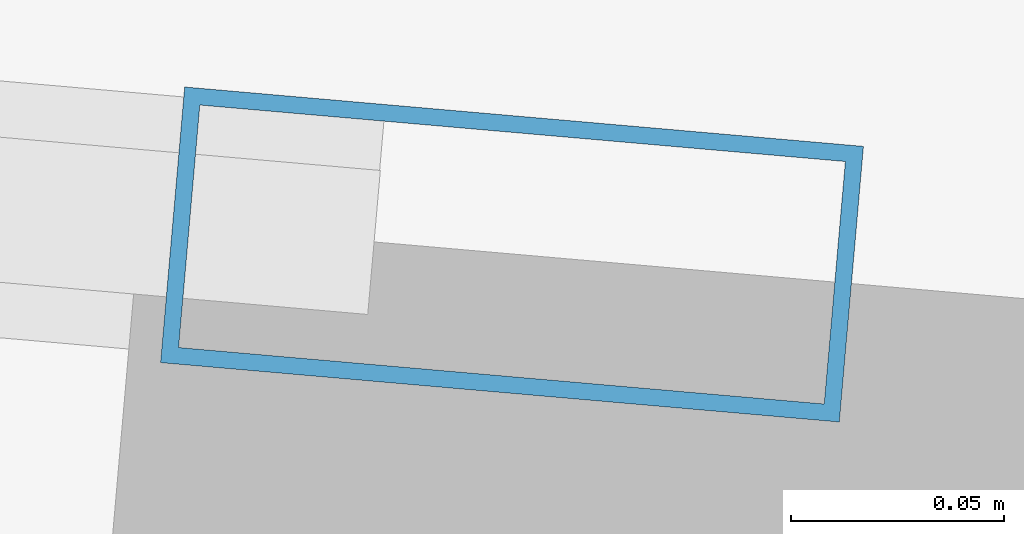
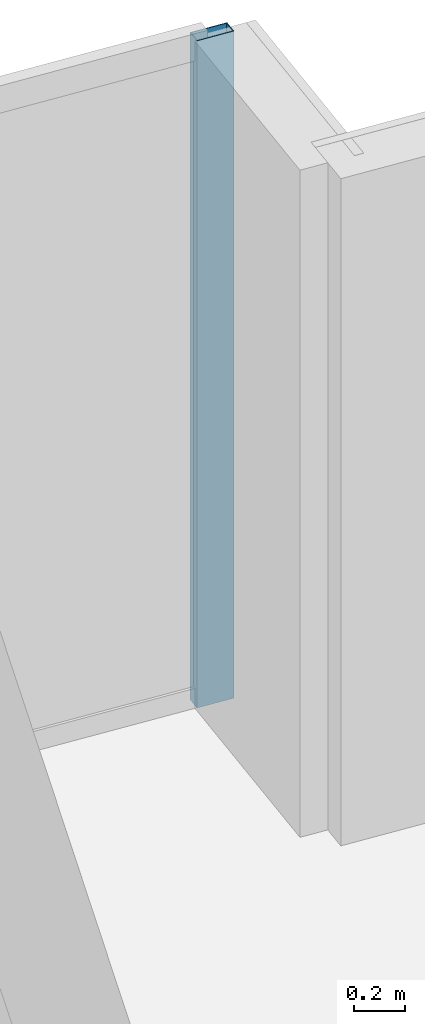
# One storey, part 22 of 32: 1 member, 1 element without a shape of its own.
"""IFC4 building model written with IfcOpenShell, lengths in metres."""

from ifc_helpers import new_model, si_unit, direction, frame, origin, origin_2d, place, context, subcontext, project, spatial, hollow_rectangle, extrude, material, material_profile, profile_set, type_object, element, aggregate, save


model = new_model("IFC4")

# Units and contexts
model_context = context("Model", 3, precision=1e-05, world=origin(), true_north=direction((0.0, 1.0)))
body_context = subcontext(model_context, "Body", "Model", "MODEL_VIEW")
ifc_project = project(units=[si_unit("LENGTHUNIT", "METRE"), si_unit("AREAUNIT", "SQUARE_METRE"), si_unit("VOLUMEUNIT", "CUBIC_METRE"), si_unit("PLANEANGLEUNIT", "RADIAN"), si_unit("MASSUNIT", "GRAM", prefix="KILO")], contexts=[model_context])

# Site, building, storey
site_placement = place(None, origin())
site = spatial("IfcSite", under=ifc_project, at=site_placement, CompositionType="ELEMENT")
building_placement = place(site_placement, origin())
building = spatial("IfcBuilding", under=site, at=building_placement, Name="Yelkora Congress Tower", CompositionType="ELEMENT")
storey_placement = place(building_placement, frame((0.0, 0.0, 259.10009765625)))
storey = spatial("IfcBuildingStorey", under=building, at=storey_placement, Name="L72", CompositionType="ELEMENT", Elevation=259.10009765625)

# Curtain wall, member
ifc_material_1 = material(Name="Anodised aluminium and insulated glass", Category="aluminium")
curtain_wall_type = type_object("IfcCurtainWallType", Name="CW-SYS-B5", PredefinedType="NOTDEFINED", material=ifc_material_1)
curtain_wall_placement = place(storey_placement, origin())
curtain_wall = element("IfcCurtainWall", 1, at=curtain_wall_placement, inside=storey, type_object=curtain_wall_type, Name="L72 Unitised Curtain Wall 10", PredefinedType="NOTDEFINED")
ifc_material_2 = material(Name="Anodised aluminium 6063-T6", Category="aluminium")
ifc_material_profile = material_profile(ifc_material_2, hollow_rectangle(XDim=0.06494140625, YDim=0.159912109375, WallThickness=0.00390625, at=origin_2d()), Name="ALU 65x160x4")
ifc_profile_set = profile_set([ifc_material_profile], Name="Anodised aluminium 6063-T6")
member_type = type_object("IfcMemberType", Name="MEM-ML-B5", PredefinedType="MULLION", material=ifc_profile_set)
member_placement = place(storey_placement, frame((55.753662109375, 46.44580078125, 0.0), z_axis=(0.0, 0.0, 1.0), x_axis=(0.087156639893, 0.996194619601, 0.0)))
member = element("IfcMember", 2, at=member_placement, type_object=member_type, Name="CW-B5 mullion 8", PredefinedType="MULLION", context=body_context, shape_type="SweptSolid", body=[
    extrude(hollow_rectangle(XDim=0.06494140625, YDim=0.159912109375, WallThickness=0.00390625, at=origin_2d()), origin(), (0.0, 0.0, 1.0), 3.179931640625),
])
aggregate(curtain_wall, [member])

save(model, "model.ifc")
